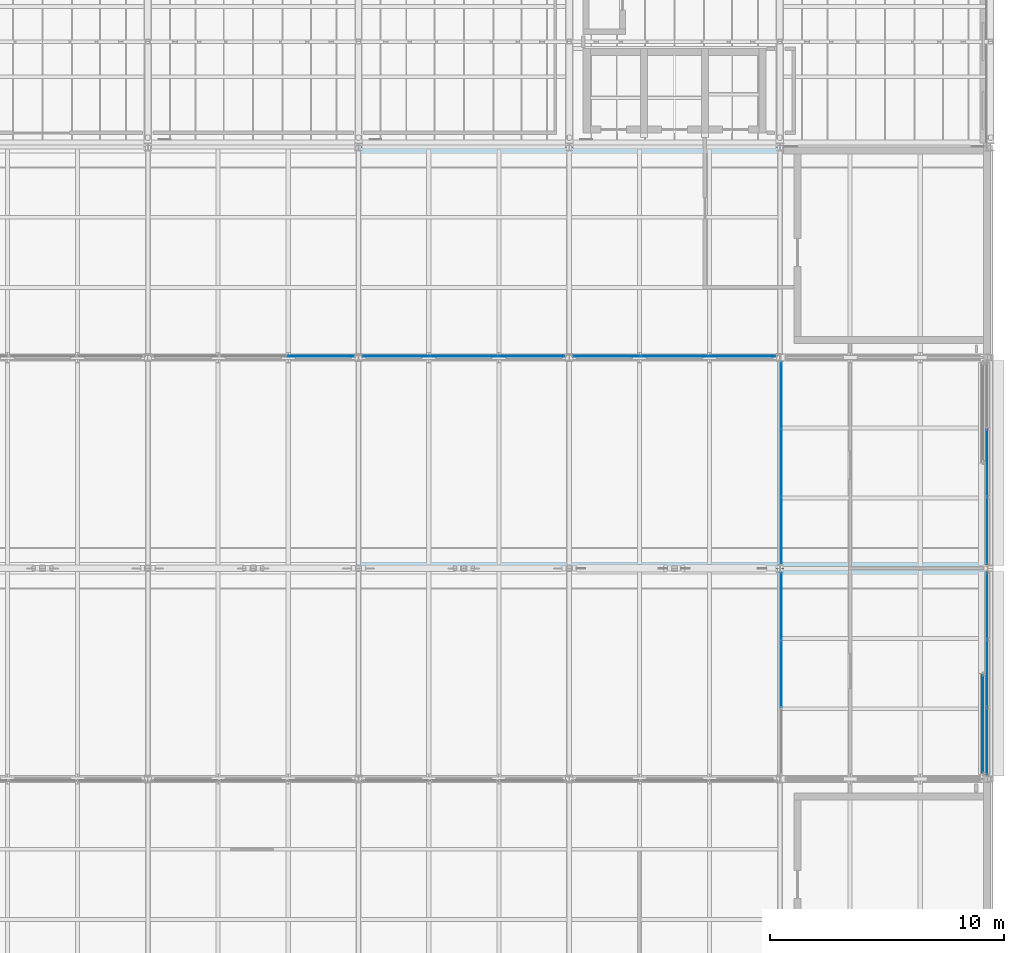
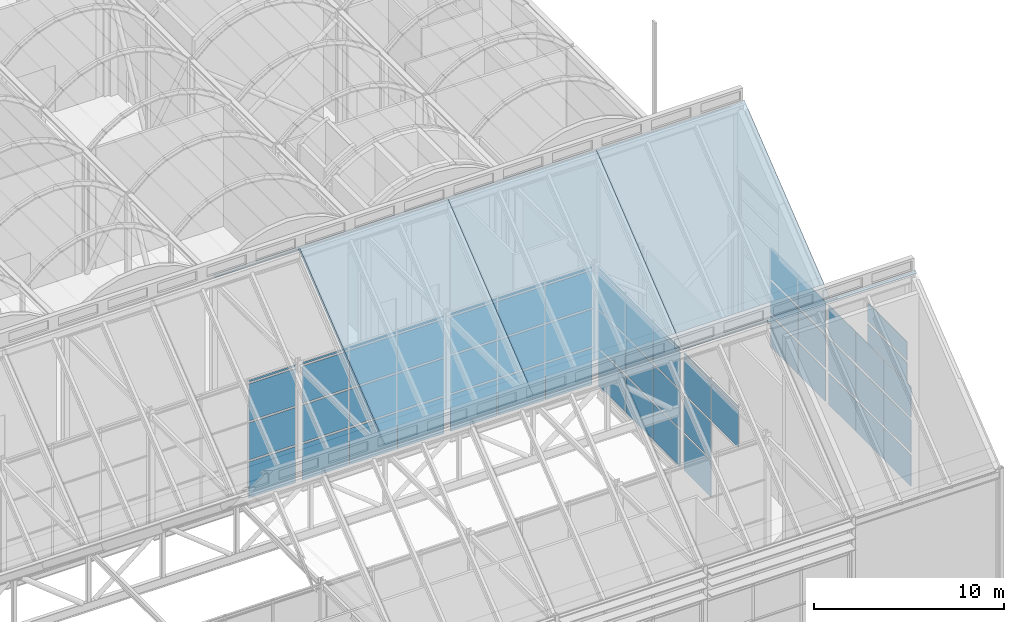
# One storey, part 120 of 144: 63 plates, 6 slabs, 8 elements without a shape of their own.
"""IFC4 building model written with IfcOpenShell, lengths in metres."""

from ifc_helpers import new_model, si_unit, direction, frame, origin, origin_2d, place, context, subcontext, project, spatial, polyline, rectangle, outline, extrude, material, layer, layer_set, type_object, element, aggregate, save


model = new_model("IFC4")

# Units and contexts
model_context = context("Model", 3, precision=1e-05, world=origin(), true_north=direction((0.0, 1.0)))
body_context = subcontext(model_context, "Body", "Model", "MODEL_VIEW")
ifc_project = project(units=[si_unit("LENGTHUNIT", "METRE"), si_unit("AREAUNIT", "SQUARE_METRE"), si_unit("VOLUMEUNIT", "CUBIC_METRE"), si_unit("PLANEANGLEUNIT", "RADIAN"), si_unit("MASSUNIT", "GRAM", prefix="KILO")], contexts=[model_context])

# Site, building, storey
site_placement = place(None, origin())
site = spatial("IfcSite", under=ifc_project, at=site_placement, CompositionType="ELEMENT")
building_placement = place(site_placement, origin())
building = spatial("IfcBuilding", under=site, at=building_placement, Name="Shorebreak Coast Museum", CompositionType="ELEMENT")
storey_placement = place(building_placement, frame((0.0, 0.0, 36.0)))
storey = spatial("IfcBuildingStorey", under=building, at=storey_placement, Name="L06", CompositionType="ELEMENT", Elevation=36.0)

# Curtain wall, plates
ifc_material_1 = material(Name="Aluminium", Category="aluminium")
ifc_layer_1 = layer(ifc_material_1, 0.1201171875)
ifc_layer_set_1 = layer_set([ifc_layer_1], Name="Aluminium")
curtain_wall_type_1 = type_object("IfcCurtainWallType", Name="Atrium fire screen", PredefinedType="NOTDEFINED", material=ifc_layer_set_1)
curtain_wall_1_placement = place(storey_placement, origin())
curtain_wall_1 = element("IfcCurtainWall", 1, at=curtain_wall_1_placement, inside=storey, type_object=curtain_wall_type_1, Name="Atrium screen L06 N 86", PredefinedType="NOTDEFINED")
ifc_material_2 = material(Name="Glass", Category="glass")
ifc_layer_2 = layer(ifc_material_2, 0.034912109375)
ifc_layer_set_2 = layer_set([ifc_layer_2], Name="Glass")
plate_type_1 = type_object("IfcPlateType", Name="Fire-resisting glass panel 35", PredefinedType="CURTAIN_PANEL", material=ifc_layer_set_2)
plate_1_placement = place(storey_placement, frame((88.38525390625, 81.06005859375, 0.1201171875), z_axis=(0.0, 0.0, 1.0), x_axis=(1.0, 0.0, 0.0)))
plate_1 = element("IfcPlate", 2, at=plate_1_placement, type_object=plate_type_1, Name="CW6 panel 3.1", PredefinedType="CURTAIN_PANEL", context=body_context, shape_type="SweptSolid", body=[
    extrude(rectangle(XDim=2.82275390625, YDim=0.034912109375, at=origin_2d()), origin(), (0.0, 0.0, 1.0), 2.320068359375),
])
plate_2_placement = place(storey_placement, frame((88.38525390625, 81.06005859375, 2.56005859375), z_axis=(0.0, 0.0, 1.0), x_axis=(1.0, 0.0, 0.0)))
plate_2 = element("IfcPlate", 3, at=plate_2_placement, type_object=plate_type_1, Name="CW6 panel 3.2", PredefinedType="CURTAIN_PANEL", context=body_context, shape_type="SweptSolid", body=[
    extrude(rectangle(XDim=2.82275390625, YDim=0.034912109375, at=origin_2d()), origin(), (0.0, 0.0, 1.0), 2.3798828125),
])
plate_3_placement = place(storey_placement, frame((88.38525390625, 81.06005859375, 5.06005859375), z_axis=(0.0, 0.0, 1.0), x_axis=(1.0, 0.0, 0.0)))
plate_3 = element("IfcPlate", 4, at=plate_3_placement, type_object=plate_type_1, Name="CW6 panel 3.3", PredefinedType="CURTAIN_PANEL", context=body_context, shape_type="SweptSolid", body=[
    extrude(rectangle(XDim=2.82275390625, YDim=0.034912109375, at=origin_2d()), origin(), (0.0, 0.0, 1.0), 2.3798828125),
])
plate_4_placement = place(storey_placement, frame((88.38525390625, 81.06005859375, 7.56005859375), z_axis=(0.0, 0.0, 1.0), x_axis=(1.0, 0.0, 0.0)))
plate_4 = element("IfcPlate", 5, at=plate_4_placement, type_object=plate_type_1, Name="CW6 panel 3.4", PredefinedType="CURTAIN_PANEL", context=body_context, shape_type="SweptSolid", body=[
    extrude(rectangle(XDim=2.82275390625, YDim=0.034912109375, at=origin_2d()), origin(), (0.0, 0.0, 1.0), 0.1201171875),
])
aggregate(curtain_wall_1, [plate_1, plate_2, plate_3, plate_4])

curtain_wall_2_placement = place(storey_placement, origin())
curtain_wall_2 = element("IfcCurtainWall", 6, at=curtain_wall_2_placement, inside=storey, type_object=curtain_wall_type_1, Name="Atrium screen L06 N 87", PredefinedType="NOTDEFINED")
plate_5_placement = place(storey_placement, frame((91.61474609375, 81.06005859375, 0.1201171875), z_axis=(0.0, 0.0, 1.0), x_axis=(1.0, 0.0, 0.0)))
plate_5 = element("IfcPlate", 7, at=plate_5_placement, type_object=plate_type_1, Name="CW4 panel 1.1", PredefinedType="CURTAIN_PANEL", context=body_context, shape_type="SweptSolid", body=[
    extrude(rectangle(XDim=2.82275390625, YDim=0.034912109375, at=origin_2d()), origin(), (0.0, 0.0, 1.0), 2.320068359375),
])
plate_6_placement = place(storey_placement, frame((91.61474609375, 81.06005859375, 2.56005859375), z_axis=(0.0, 0.0, 1.0), x_axis=(1.0, 0.0, 0.0)))
plate_6 = element("IfcPlate", 8, at=plate_6_placement, type_object=plate_type_1, Name="CW4 panel 1.2", PredefinedType="CURTAIN_PANEL", context=body_context, shape_type="SweptSolid", body=[
    extrude(rectangle(XDim=2.82275390625, YDim=0.034912109375, at=origin_2d()), origin(), (0.0, 0.0, 1.0), 2.3798828125),
])
plate_7_placement = place(storey_placement, frame((91.61474609375, 81.06005859375, 5.06005859375), z_axis=(0.0, 0.0, 1.0), x_axis=(1.0, 0.0, 0.0)))
plate_7 = element("IfcPlate", 9, at=plate_7_placement, type_object=plate_type_1, Name="CW4 panel 1.3", PredefinedType="CURTAIN_PANEL", context=body_context, shape_type="SweptSolid", body=[
    extrude(rectangle(XDim=2.82275390625, YDim=0.034912109375, at=origin_2d()), origin(), (0.0, 0.0, 1.0), 2.3798828125),
])
plate_8_placement = place(storey_placement, frame((91.61474609375, 81.06005859375, 7.56005859375), z_axis=(0.0, 0.0, 1.0), x_axis=(1.0, 0.0, 0.0)))
plate_8 = element("IfcPlate", 10, at=plate_8_placement, type_object=plate_type_1, Name="CW4 panel 1.4", PredefinedType="CURTAIN_PANEL", context=body_context, shape_type="SweptSolid", body=[
    extrude(rectangle(XDim=2.82275390625, YDim=0.034912109375, at=origin_2d()), origin(), (0.0, 0.0, 1.0), 0.1201171875),
])
plate_9_placement = place(storey_placement, frame((94.5, 81.06005859375, 0.1201171875), z_axis=(0.0, 0.0, 1.0), x_axis=(1.0, 0.0, 0.0)))
plate_9 = element("IfcPlate", 11, at=plate_9_placement, type_object=plate_type_1, Name="CW4 panel 2.1", PredefinedType="CURTAIN_PANEL", context=body_context, shape_type="SweptSolid", body=[
    extrude(rectangle(XDim=2.84765625, YDim=0.034912109375, at=origin_2d()), origin(), (0.0, 0.0, 1.0), 2.320068359375),
])
plate_10_placement = place(storey_placement, frame((94.5, 81.06005859375, 2.56005859375), z_axis=(0.0, 0.0, 1.0), x_axis=(1.0, 0.0, 0.0)))
plate_10 = element("IfcPlate", 12, at=plate_10_placement, type_object=plate_type_1, Name="CW4 panel 2.2", PredefinedType="CURTAIN_PANEL", context=body_context, shape_type="SweptSolid", body=[
    extrude(rectangle(XDim=2.84765625, YDim=0.034912109375, at=origin_2d()), origin(), (0.0, 0.0, 1.0), 2.3798828125),
])
plate_11_placement = place(storey_placement, frame((94.5, 81.06005859375, 5.06005859375), z_axis=(0.0, 0.0, 1.0), x_axis=(1.0, 0.0, 0.0)))
plate_11 = element("IfcPlate", 13, at=plate_11_placement, type_object=plate_type_1, Name="CW4 panel 2.3", PredefinedType="CURTAIN_PANEL", context=body_context, shape_type="SweptSolid", body=[
    extrude(rectangle(XDim=2.84765625, YDim=0.034912109375, at=origin_2d()), origin(), (0.0, 0.0, 1.0), 2.3798828125),
])
plate_12_placement = place(storey_placement, frame((94.5, 81.06005859375, 7.56005859375), z_axis=(0.0, 0.0, 1.0), x_axis=(1.0, 0.0, 0.0)))
plate_12 = element("IfcPlate", 14, at=plate_12_placement, type_object=plate_type_1, Name="CW4 panel 2.4", PredefinedType="CURTAIN_PANEL", context=body_context, shape_type="SweptSolid", body=[
    extrude(rectangle(XDim=2.84765625, YDim=0.034912109375, at=origin_2d()), origin(), (0.0, 0.0, 1.0), 0.1201171875),
])
plate_13_placement = place(storey_placement, frame((97.38525390625, 81.06005859375, 0.1201171875), z_axis=(0.0, 0.0, 1.0), x_axis=(1.0, 0.0, 0.0)))
plate_13 = element("IfcPlate", 15, at=plate_13_placement, type_object=plate_type_1, Name="CW4 panel 3.1", PredefinedType="CURTAIN_PANEL", context=body_context, shape_type="SweptSolid", body=[
    extrude(rectangle(XDim=2.82275390625, YDim=0.034912109375, at=origin_2d()), origin(), (0.0, 0.0, 1.0), 2.320068359375),
])
plate_14_placement = place(storey_placement, frame((97.38525390625, 81.06005859375, 2.56005859375), z_axis=(0.0, 0.0, 1.0), x_axis=(1.0, 0.0, 0.0)))
plate_14 = element("IfcPlate", 16, at=plate_14_placement, type_object=plate_type_1, Name="CW4 panel 3.2", PredefinedType="CURTAIN_PANEL", context=body_context, shape_type="SweptSolid", body=[
    extrude(rectangle(XDim=2.82275390625, YDim=0.034912109375, at=origin_2d()), origin(), (0.0, 0.0, 1.0), 2.3798828125),
])
plate_15_placement = place(storey_placement, frame((97.38525390625, 81.06005859375, 5.06005859375), z_axis=(0.0, 0.0, 1.0), x_axis=(1.0, 0.0, 0.0)))
plate_15 = element("IfcPlate", 17, at=plate_15_placement, type_object=plate_type_1, Name="CW4 panel 3.3", PredefinedType="CURTAIN_PANEL", context=body_context, shape_type="SweptSolid", body=[
    extrude(rectangle(XDim=2.82275390625, YDim=0.034912109375, at=origin_2d()), origin(), (0.0, 0.0, 1.0), 2.3798828125),
])
plate_16_placement = place(storey_placement, frame((97.38525390625, 81.06005859375, 7.56005859375), z_axis=(0.0, 0.0, 1.0), x_axis=(1.0, 0.0, 0.0)))
plate_16 = element("IfcPlate", 18, at=plate_16_placement, type_object=plate_type_1, Name="CW4 panel 3.4", PredefinedType="CURTAIN_PANEL", context=body_context, shape_type="SweptSolid", body=[
    extrude(rectangle(XDim=2.82275390625, YDim=0.034912109375, at=origin_2d()), origin(), (0.0, 0.0, 1.0), 0.1201171875),
])
aggregate(curtain_wall_2, [plate_5, plate_6, plate_7, plate_8, plate_9, plate_10, plate_11, plate_12, plate_13, plate_14, plate_15, plate_16])

curtain_wall_3_placement = place(storey_placement, origin())
curtain_wall_3 = element("IfcCurtainWall", 19, at=curtain_wall_3_placement, inside=storey, type_object=curtain_wall_type_1, Name="Atrium screen L06 N 88", PredefinedType="NOTDEFINED")
plate_17_placement = place(storey_placement, frame((100.61474609375, 81.06005859375, 0.1201171875), z_axis=(0.0, 0.0, 1.0), x_axis=(1.0, 0.0, 0.0)))
plate_17 = element("IfcPlate", 20, at=plate_17_placement, type_object=plate_type_1, Name="CW5 panel 1.1", PredefinedType="CURTAIN_PANEL", context=body_context, shape_type="SweptSolid", body=[
    extrude(rectangle(XDim=2.82275390625, YDim=0.034912109375, at=origin_2d()), origin(), (0.0, 0.0, 1.0), 2.320068359375),
])
plate_18_placement = place(storey_placement, frame((100.61474609375, 81.06005859375, 2.56005859375), z_axis=(0.0, 0.0, 1.0), x_axis=(1.0, 0.0, 0.0)))
plate_18 = element("IfcPlate", 21, at=plate_18_placement, type_object=plate_type_1, Name="CW5 panel 1.2", PredefinedType="CURTAIN_PANEL", context=body_context, shape_type="SweptSolid", body=[
    extrude(rectangle(XDim=2.82275390625, YDim=0.034912109375, at=origin_2d()), origin(), (0.0, 0.0, 1.0), 2.3798828125),
])
plate_19_placement = place(storey_placement, frame((100.61474609375, 81.06005859375, 5.06005859375), z_axis=(0.0, 0.0, 1.0), x_axis=(1.0, 0.0, 0.0)))
plate_19 = element("IfcPlate", 22, at=plate_19_placement, type_object=plate_type_1, Name="CW5 panel 1.3", PredefinedType="CURTAIN_PANEL", context=body_context, shape_type="SweptSolid", body=[
    extrude(rectangle(XDim=2.82275390625, YDim=0.034912109375, at=origin_2d()), origin(), (0.0, 0.0, 1.0), 2.3798828125),
])
plate_20_placement = place(storey_placement, frame((100.61474609375, 81.06005859375, 7.56005859375), z_axis=(0.0, 0.0, 1.0), x_axis=(1.0, 0.0, 0.0)))
plate_20 = element("IfcPlate", 23, at=plate_20_placement, type_object=plate_type_1, Name="CW5 panel 1.4", PredefinedType="CURTAIN_PANEL", context=body_context, shape_type="SweptSolid", body=[
    extrude(rectangle(XDim=2.82275390625, YDim=0.034912109375, at=origin_2d()), origin(), (0.0, 0.0, 1.0), 0.1201171875),
])
plate_21_placement = place(storey_placement, frame((103.5, 81.06005859375, 0.1201171875), z_axis=(0.0, 0.0, 1.0), x_axis=(1.0, 0.0, 0.0)))
plate_21 = element("IfcPlate", 24, at=plate_21_placement, type_object=plate_type_1, Name="CW5 panel 2.1", PredefinedType="CURTAIN_PANEL", context=body_context, shape_type="SweptSolid", body=[
    extrude(rectangle(XDim=2.84765625, YDim=0.034912109375, at=origin_2d()), origin(), (0.0, 0.0, 1.0), 2.320068359375),
])
plate_22_placement = place(storey_placement, frame((103.5, 81.06005859375, 2.56005859375), z_axis=(0.0, 0.0, 1.0), x_axis=(1.0, 0.0, 0.0)))
plate_22 = element("IfcPlate", 25, at=plate_22_placement, type_object=plate_type_1, Name="CW5 panel 2.2", PredefinedType="CURTAIN_PANEL", context=body_context, shape_type="SweptSolid", body=[
    extrude(rectangle(XDim=2.84765625, YDim=0.034912109375, at=origin_2d()), origin(), (0.0, 0.0, 1.0), 2.3798828125),
])
plate_23_placement = place(storey_placement, frame((103.5, 81.06005859375, 5.06005859375), z_axis=(0.0, 0.0, 1.0), x_axis=(1.0, 0.0, 0.0)))
plate_23 = element("IfcPlate", 26, at=plate_23_placement, type_object=plate_type_1, Name="CW5 panel 2.3", PredefinedType="CURTAIN_PANEL", context=body_context, shape_type="SweptSolid", body=[
    extrude(rectangle(XDim=2.84765625, YDim=0.034912109375, at=origin_2d()), origin(), (0.0, 0.0, 1.0), 2.3798828125),
])
plate_24_placement = place(storey_placement, frame((103.5, 81.06005859375, 7.56005859375), z_axis=(0.0, 0.0, 1.0), x_axis=(1.0, 0.0, 0.0)))
plate_24 = element("IfcPlate", 27, at=plate_24_placement, type_object=plate_type_1, Name="CW5 panel 2.4", PredefinedType="CURTAIN_PANEL", context=body_context, shape_type="SweptSolid", body=[
    extrude(rectangle(XDim=2.84765625, YDim=0.034912109375, at=origin_2d()), origin(), (0.0, 0.0, 1.0), 0.1201171875),
])
plate_25_placement = place(storey_placement, frame((106.38525390625, 81.06005859375, 0.1201171875), z_axis=(0.0, 0.0, 1.0), x_axis=(1.0, 0.0, 0.0)))
plate_25 = element("IfcPlate", 28, at=plate_25_placement, type_object=plate_type_1, Name="CW5 panel 3.1", PredefinedType="CURTAIN_PANEL", context=body_context, shape_type="SweptSolid", body=[
    extrude(rectangle(XDim=2.82275390625, YDim=0.034912109375, at=origin_2d()), origin(), (0.0, 0.0, 1.0), 2.320068359375),
])
plate_26_placement = place(storey_placement, frame((106.38525390625, 81.06005859375, 2.56005859375), z_axis=(0.0, 0.0, 1.0), x_axis=(1.0, 0.0, 0.0)))
plate_26 = element("IfcPlate", 29, at=plate_26_placement, type_object=plate_type_1, Name="CW5 panel 3.2", PredefinedType="CURTAIN_PANEL", context=body_context, shape_type="SweptSolid", body=[
    extrude(rectangle(XDim=2.82275390625, YDim=0.034912109375, at=origin_2d()), origin(), (0.0, 0.0, 1.0), 2.3798828125),
])
plate_27_placement = place(storey_placement, frame((106.38525390625, 81.06005859375, 5.06005859375), z_axis=(0.0, 0.0, 1.0), x_axis=(1.0, 0.0, 0.0)))
plate_27 = element("IfcPlate", 30, at=plate_27_placement, type_object=plate_type_1, Name="CW5 panel 3.3", PredefinedType="CURTAIN_PANEL", context=body_context, shape_type="SweptSolid", body=[
    extrude(rectangle(XDim=2.82275390625, YDim=0.034912109375, at=origin_2d()), origin(), (0.0, 0.0, 1.0), 2.3798828125),
])
plate_28_placement = place(storey_placement, frame((106.38525390625, 81.06005859375, 7.56005859375), z_axis=(0.0, 0.0, 1.0), x_axis=(1.0, 0.0, 0.0)))
plate_28 = element("IfcPlate", 31, at=plate_28_placement, type_object=plate_type_1, Name="CW5 panel 3.4", PredefinedType="CURTAIN_PANEL", context=body_context, shape_type="SweptSolid", body=[
    extrude(rectangle(XDim=2.82275390625, YDim=0.034912109375, at=origin_2d()), origin(), (0.0, 0.0, 1.0), 0.1201171875),
])
aggregate(curtain_wall_3, [plate_17, plate_18, plate_19, plate_20, plate_21, plate_22, plate_23, plate_24, plate_25, plate_26, plate_27, plate_28])

curtain_wall_4_placement = place(storey_placement, origin())
curtain_wall_4 = element("IfcCurtainWall", 32, at=curtain_wall_4_placement, inside=storey, type_object=curtain_wall_type_1, Name="Atrium screen L06 E 91", PredefinedType="NOTDEFINED")
plate_29_placement = place(storey_placement, frame((108.06005859375, 67.496826171875, 5.06005859375), z_axis=(0.0, 0.0, 1.0), x_axis=(0.0, 1.0, 0.0)))
plate_29 = element("IfcPlate", 33, at=plate_29_placement, type_object=plate_type_1, Name="CW5 panel 2.3", PredefinedType="CURTAIN_PANEL", context=body_context, shape_type="SweptSolid", body=[
    extrude(rectangle(XDim=2.843017578125, YDim=0.034912109375, at=origin_2d()), origin(), (0.0, 0.0, 1.0), 2.3798828125),
])
plate_30_placement = place(storey_placement, frame((108.06005859375, 67.496826171875, 7.56005859375), z_axis=(0.0, 0.0, 1.0), x_axis=(0.0, 1.0, 0.0)))
plate_30 = element("IfcPlate", 34, at=plate_30_placement, type_object=plate_type_1, Name="CW5 panel 2.4", PredefinedType="CURTAIN_PANEL", context=body_context, shape_type="SweptSolid", body=[
    extrude(rectangle(XDim=2.843017578125, YDim=0.034912109375, at=origin_2d()), origin(), (0.0, 0.0, 1.0), 0.1201171875),
])
plate_31_placement = place(storey_placement, frame((108.06005859375, 70.37744140625, 0.1201171875), z_axis=(0.0, 0.0, 1.0), x_axis=(0.0, 1.0, 0.0)))
plate_31 = element("IfcPlate", 35, at=plate_31_placement, type_object=plate_type_1, Name="CW5 panel 3.1", PredefinedType="CURTAIN_PANEL", context=body_context, shape_type="SweptSolid", body=[
    extrude(rectangle(XDim=2.818115234375, YDim=0.034912109375, at=origin_2d()), origin(), (0.0, 0.0, 1.0), 2.320068359375),
])
plate_32_placement = place(storey_placement, frame((108.06005859375, 70.37744140625, 2.56005859375), z_axis=(0.0, 0.0, 1.0), x_axis=(0.0, 1.0, 0.0)))
plate_32 = element("IfcPlate", 36, at=plate_32_placement, type_object=plate_type_1, Name="CW5 panel 3.2", PredefinedType="CURTAIN_PANEL", context=body_context, shape_type="SweptSolid", body=[
    extrude(rectangle(XDim=2.818115234375, YDim=0.034912109375, at=origin_2d()), origin(), (0.0, 0.0, 1.0), 2.3798828125),
])
plate_33_placement = place(storey_placement, frame((108.06005859375, 70.37744140625, 5.06005859375), z_axis=(0.0, 0.0, 1.0), x_axis=(0.0, 1.0, 0.0)))
plate_33 = element("IfcPlate", 37, at=plate_33_placement, type_object=plate_type_1, Name="CW5 panel 3.3", PredefinedType="CURTAIN_PANEL", context=body_context, shape_type="SweptSolid", body=[
    extrude(rectangle(XDim=2.818115234375, YDim=0.034912109375, at=origin_2d()), origin(), (0.0, 0.0, 1.0), 2.3798828125),
])
plate_34_placement = place(storey_placement, frame((108.06005859375, 70.37744140625, 7.56005859375), z_axis=(0.0, 0.0, 1.0), x_axis=(0.0, 1.0, 0.0)))
plate_34 = element("IfcPlate", 38, at=plate_34_placement, type_object=plate_type_1, Name="CW5 panel 3.4", PredefinedType="CURTAIN_PANEL", context=body_context, shape_type="SweptSolid", body=[
    extrude(rectangle(XDim=2.818115234375, YDim=0.034912109375, at=origin_2d()), origin(), (0.0, 0.0, 1.0), 0.1201171875),
])
aggregate(curtain_wall_4, [plate_29, plate_30, plate_31, plate_32, plate_33, plate_34])

curtain_wall_5_placement = place(storey_placement, origin())
curtain_wall_5 = element("IfcCurtainWall", 39, at=curtain_wall_5_placement, inside=storey, type_object=curtain_wall_type_1, Name="Atrium screen L06 E 92", PredefinedType="NOTDEFINED")
plate_35_placement = place(storey_placement, frame((108.06005859375, 73.62255859375, 0.1201171875), z_axis=(0.0, 0.0, 1.0), x_axis=(0.0, 1.0, 0.0)))
plate_35 = element("IfcPlate", 40, at=plate_35_placement, type_object=plate_type_1, Name="CW6 panel 1.1", PredefinedType="CURTAIN_PANEL", context=body_context, shape_type="SweptSolid", body=[
    extrude(rectangle(XDim=2.818115234375, YDim=0.034912109375, at=origin_2d()), origin(), (0.0, 0.0, 1.0), 2.320068359375),
])
plate_36_placement = place(storey_placement, frame((108.06005859375, 73.62255859375, 2.56005859375), z_axis=(0.0, 0.0, 1.0), x_axis=(0.0, 1.0, 0.0)))
plate_36 = element("IfcPlate", 41, at=plate_36_placement, type_object=plate_type_1, Name="CW6 panel 1.2", PredefinedType="CURTAIN_PANEL", context=body_context, shape_type="SweptSolid", body=[
    extrude(rectangle(XDim=2.818115234375, YDim=0.034912109375, at=origin_2d()), origin(), (0.0, 0.0, 1.0), 2.3798828125),
])
plate_37_placement = place(storey_placement, frame((108.06005859375, 73.62255859375, 5.06005859375), z_axis=(0.0, 0.0, 1.0), x_axis=(0.0, 1.0, 0.0)))
plate_37 = element("IfcPlate", 42, at=plate_37_placement, type_object=plate_type_1, Name="CW6 panel 1.3", PredefinedType="CURTAIN_PANEL", context=body_context, shape_type="SweptSolid", body=[
    extrude(rectangle(XDim=2.818115234375, YDim=0.034912109375, at=origin_2d()), origin(), (0.0, 0.0, 1.0), 2.3798828125),
])
plate_38_placement = place(storey_placement, frame((108.06005859375, 73.62255859375, 7.56005859375), z_axis=(0.0, 0.0, 1.0), x_axis=(0.0, 1.0, 0.0)))
plate_38 = element("IfcPlate", 43, at=plate_38_placement, type_object=plate_type_1, Name="CW6 panel 1.4", PredefinedType="CURTAIN_PANEL", context=body_context, shape_type="SweptSolid", body=[
    extrude(rectangle(XDim=2.818115234375, YDim=0.034912109375, at=origin_2d()), origin(), (0.0, 0.0, 1.0), 0.1201171875),
])
plate_39_placement = place(storey_placement, frame((108.06005859375, 76.503173828125, 0.1201171875), z_axis=(0.0, 0.0, 1.0), x_axis=(0.0, 1.0, 0.0)))
plate_39 = element("IfcPlate", 44, at=plate_39_placement, type_object=plate_type_1, Name="CW6 panel 2.1", PredefinedType="CURTAIN_PANEL", context=body_context, shape_type="SweptSolid", body=[
    extrude(rectangle(XDim=2.843017578125, YDim=0.034912109375, at=origin_2d()), origin(), (0.0, 0.0, 1.0), 2.320068359375),
])
plate_40_placement = place(storey_placement, frame((108.06005859375, 76.503173828125, 2.56005859375), z_axis=(0.0, 0.0, 1.0), x_axis=(0.0, 1.0, 0.0)))
plate_40 = element("IfcPlate", 45, at=plate_40_placement, type_object=plate_type_1, Name="CW6 panel 2.2", PredefinedType="CURTAIN_PANEL", context=body_context, shape_type="SweptSolid", body=[
    extrude(rectangle(XDim=2.843017578125, YDim=0.034912109375, at=origin_2d()), origin(), (0.0, 0.0, 1.0), 2.3798828125),
])
plate_41_placement = place(storey_placement, frame((108.06005859375, 76.503173828125, 5.06005859375), z_axis=(0.0, 0.0, 1.0), x_axis=(0.0, 1.0, 0.0)))
plate_41 = element("IfcPlate", 46, at=plate_41_placement, type_object=plate_type_1, Name="CW6 panel 2.3", PredefinedType="CURTAIN_PANEL", context=body_context, shape_type="SweptSolid", body=[
    extrude(rectangle(XDim=2.843017578125, YDim=0.034912109375, at=origin_2d()), origin(), (0.0, 0.0, 1.0), 2.3798828125),
])
plate_42_placement = place(storey_placement, frame((108.06005859375, 76.503173828125, 7.56005859375), z_axis=(0.0, 0.0, 1.0), x_axis=(0.0, 1.0, 0.0)))
plate_42 = element("IfcPlate", 47, at=plate_42_placement, type_object=plate_type_1, Name="CW6 panel 2.4", PredefinedType="CURTAIN_PANEL", context=body_context, shape_type="SweptSolid", body=[
    extrude(rectangle(XDim=2.843017578125, YDim=0.034912109375, at=origin_2d()), origin(), (0.0, 0.0, 1.0), 0.1201171875),
])
plate_43_placement = place(storey_placement, frame((108.06005859375, 79.3837890625, 0.1201171875), z_axis=(0.0, 0.0, 1.0), x_axis=(0.0, 1.0, 0.0)))
plate_43 = element("IfcPlate", 48, at=plate_43_placement, type_object=plate_type_1, Name="CW6 panel 3.1", PredefinedType="CURTAIN_PANEL", context=body_context, shape_type="SweptSolid", body=[
    extrude(rectangle(XDim=2.818115234375, YDim=0.034912109375, at=origin_2d()), origin(), (0.0, 0.0, 1.0), 2.320068359375),
])
plate_44_placement = place(storey_placement, frame((108.06005859375, 79.3837890625, 2.56005859375), z_axis=(0.0, 0.0, 1.0), x_axis=(0.0, 1.0, 0.0)))
plate_44 = element("IfcPlate", 49, at=plate_44_placement, type_object=plate_type_1, Name="CW6 panel 3.2", PredefinedType="CURTAIN_PANEL", context=body_context, shape_type="SweptSolid", body=[
    extrude(rectangle(XDim=2.818115234375, YDim=0.034912109375, at=origin_2d()), origin(), (0.0, 0.0, 1.0), 2.3798828125),
])
plate_45_placement = place(storey_placement, frame((108.06005859375, 79.3837890625, 5.06005859375), z_axis=(0.0, 0.0, 1.0), x_axis=(0.0, 1.0, 0.0)))
plate_45 = element("IfcPlate", 50, at=plate_45_placement, type_object=plate_type_1, Name="CW6 panel 3.3", PredefinedType="CURTAIN_PANEL", context=body_context, shape_type="SweptSolid", body=[
    extrude(rectangle(XDim=2.818115234375, YDim=0.034912109375, at=origin_2d()), origin(), (0.0, 0.0, 1.0), 2.3798828125),
])
plate_46_placement = place(storey_placement, frame((108.06005859375, 79.3837890625, 7.56005859375), z_axis=(0.0, 0.0, 1.0), x_axis=(0.0, 1.0, 0.0)))
plate_46 = element("IfcPlate", 51, at=plate_46_placement, type_object=plate_type_1, Name="CW6 panel 3.4", PredefinedType="CURTAIN_PANEL", context=body_context, shape_type="SweptSolid", body=[
    extrude(rectangle(XDim=2.818115234375, YDim=0.034912109375, at=origin_2d()), origin(), (0.0, 0.0, 1.0), 0.1201171875),
])
aggregate(curtain_wall_5, [plate_35, plate_36, plate_37, plate_38, plate_39, plate_40, plate_41, plate_42, plate_43, plate_44, plate_45, plate_46])

ifc_material_3 = material(Name="Aluminium", Category="aluminium")
ifc_layer_3 = layer(ifc_material_3, 0.175048828125)
ifc_layer_set_3 = layer_set([ifc_layer_3], Name="Aluminium")
curtain_wall_type_2 = type_object("IfcCurtainWallType", Name="Gable curtain wall", PredefinedType="NOTDEFINED", material=ifc_layer_set_3)
curtain_wall_6_placement = place(storey_placement, origin())
curtain_wall_6 = element("IfcCurtainWall", 52, at=curtain_wall_6_placement, inside=storey, type_object=curtain_wall_type_2, Name="Gable glazing FOLD-X-117-1", PredefinedType="NOTDEFINED")
ifc_material_4 = material(Name="Glass", Category="glass")
ifc_layer_4 = layer(ifc_material_4, 0.0400390625)
ifc_layer_set_4 = layer_set([ifc_layer_4], Name="Glass")
plate_type_2 = type_object("IfcPlateType", Name="Gable glass panel 40", PredefinedType="CURTAIN_PANEL", material=ifc_layer_set_4)
plate_47_placement = place(storey_placement, frame((116.66943359375, 65.348388671875, 7.97509765625), z_axis=(0.0, 0.0, 1.0), x_axis=(0.0, 1.0, 0.0)))
plate_47 = element("IfcPlate", 53, at=plate_47_placement, type_object=plate_type_2, Name="CW9 panel 1.1", PredefinedType="CURTAIN_PANEL", context=body_context, shape_type="SweptSolid", body=[
    extrude(rectangle(XDim=4.18310546875, YDim=0.0400390625, at=origin_2d()), origin(), (0.0, 0.0, 1.0), 1.1884765625),
])
plate_48_placement = place(storey_placement, frame((116.66943359375, 65.348388671875, 9.338623046875), z_axis=(0.0, 0.0, 1.0), x_axis=(0.0, 1.0, 0.0)))
plate_48 = element("IfcPlate", 54, at=plate_48_placement, type_object=plate_type_2, Name="CW9 panel 1.2", PredefinedType="CURTAIN_PANEL", context=body_context, shape_type="SweptSolid", body=[
    extrude(rectangle(XDim=4.18310546875, YDim=0.0400390625, at=origin_2d()), origin(), (0.0, 0.0, 1.0), 1.1884765625),
])
aggregate(curtain_wall_6, [plate_47, plate_48])

# Slabs
ifc_material_5 = material(Name="Concrete N50 (50 MPa)", Category="concrete")
ifc_layer_5 = layer(ifc_material_5, 0.199951171875)
ifc_layer_set_5 = layer_set([ifc_layer_5], Name="Concrete N50 (50 MPa)")
slab_type = type_object("IfcSlabType", Name="Roof slab folded plate 200 concrete N50", PredefinedType="ROOF", material=ifc_layer_set_5)
for number, where, z_axis, x_axis, name in (
    (55, (108.0, 63.0, 15.199951171875), (0.0, 0.624692464322, 0.780870876022), (1.0, 0.0, 0.0), "Folded roof slab FOLD-X-P14"),
    (56, (90.0, 72.0, 8.0), (0.0, -0.624692464322, 0.780870876022), (1.0, 0.0, 0.0), "Folded roof slab FOLD-X-P19"),
    (57, (99.0, 72.0, 8.0), (0.0, -0.624692464322, 0.780870876022), (1.0, 0.0, 0.0), "Folded roof slab FOLD-X-P20"),
    (58, (108.0, 72.0, 8.0), (0.0, -0.624692464322, 0.780870876022), (1.0, 0.0, 0.0), "Folded roof slab FOLD-X-P21"),
    (59, (90.0, 81.0, 15.199951171875), (0.0, 0.624692464322, 0.780870876022), (1.0, 0.0, 0.0), "Folded roof slab FOLD-X-P26"),
    (60, (99.0, 81.0, 15.199951171875), (0.0, 0.624692464322, 0.780870876022), (1.0, 0.0, 0.0), "Folded roof slab FOLD-X-P27"),
):
    element("IfcSlab", number, at=place(storey_placement, frame(where, z_axis=z_axis, x_axis=x_axis)), inside=storey, type_object=slab_type, Name=name, PredefinedType="ROOF", context=body_context, shape_type="SweptSolid", body=[
        extrude(outline(polyline([(0.0, 0.0), (9.0, 0.0), (9.0, 11.525593124754327), (0.0, 11.525593124754327), (0.0, 0.0)])), origin(), (0.0, 0.0, -1.0), 0.199951171875),
    ])

# Curtain wall, plates
ifc_material_6 = material(Name="Aluminium", Category="aluminium")
ifc_layer_6 = layer(ifc_material_6, 0.14990234375)
ifc_layer_set_6 = layer_set([ifc_layer_6], Name="Aluminium")
curtain_wall_type_3 = type_object("IfcCurtainWallType", Name="Storefront curtain wall", PredefinedType="NOTDEFINED", material=ifc_layer_set_6)
curtain_wall_7_placement = place(storey_placement, origin())
curtain_wall_7 = element("IfcCurtainWall", 61, at=curtain_wall_7_placement, inside=storey, type_object=curtain_wall_type_3, Name="Atrium Hall glazing L06 E 20", PredefinedType="NOTDEFINED")
ifc_material_7 = material(Name="Glass", Category="glass")
ifc_layer_7 = layer(ifc_material_7, 0.031982421875)
ifc_layer_set_7 = layer_set([ifc_layer_7], Name="Glass")
plate_type_3 = type_object("IfcPlateType", Name="Storefront glass panel 32", PredefinedType="CURTAIN_PANEL", material=ifc_layer_set_7)
plate_49_placement = place(storey_placement, frame((116.85009765625, 64.607421875, 1.25), z_axis=(0.0, 0.0, 1.0), x_axis=(0.0, 1.0, 0.0)))
plate_49 = element("IfcPlate", 62, at=plate_49_placement, type_object=plate_type_3, Name="CW5 panel 1.1", PredefinedType="CURTAIN_PANEL", context=body_context, shape_type="SweptSolid", body=[
    extrude(rectangle(XDim=2.8369140625, YDim=0.031982421875, at=origin_2d()), origin(), (0.0, 0.0, 1.0), 2.00830078125),
])
plate_50_placement = place(storey_placement, frame((116.85009765625, 64.607421875, 3.408203125), z_axis=(0.0, 0.0, 1.0), x_axis=(0.0, 1.0, 0.0)))
plate_50 = element("IfcPlate", 63, at=plate_50_placement, type_object=plate_type_3, Name="CW5 panel 1.2", PredefinedType="CURTAIN_PANEL", context=body_context, shape_type="SweptSolid", body=[
    extrude(rectangle(XDim=2.8369140625, YDim=0.031982421875, at=origin_2d()), origin(), (0.0, 0.0, 1.0), 2.08349609375),
])
plate_51_placement = place(storey_placement, frame((116.85009765625, 64.607421875, 5.6416015625), z_axis=(0.0, 0.0, 1.0), x_axis=(0.0, 1.0, 0.0)))
plate_51 = element("IfcPlate", 64, at=plate_51_placement, type_object=plate_type_3, Name="CW5 panel 1.3", PredefinedType="CURTAIN_PANEL", context=body_context, shape_type="SweptSolid", body=[
    extrude(rectangle(XDim=2.8369140625, YDim=0.031982421875, at=origin_2d()), origin(), (0.0, 0.0, 1.0), 2.00830078125),
])
plate_52_placement = place(storey_placement, frame((116.85009765625, 67.507080078125, 1.25), z_axis=(0.0, 0.0, 1.0), x_axis=(0.0, 1.0, 0.0)))
plate_52 = element("IfcPlate", 65, at=plate_52_placement, type_object=plate_type_3, Name="CW5 panel 2.1", PredefinedType="CURTAIN_PANEL", context=body_context, shape_type="SweptSolid", body=[
    extrude(rectangle(XDim=2.862060546875, YDim=0.031982421875, at=origin_2d()), origin(), (0.0, 0.0, 1.0), 2.00830078125),
])
plate_53_placement = place(storey_placement, frame((116.85009765625, 67.507080078125, 3.408203125), z_axis=(0.0, 0.0, 1.0), x_axis=(0.0, 1.0, 0.0)))
plate_53 = element("IfcPlate", 66, at=plate_53_placement, type_object=plate_type_3, Name="CW5 panel 2.2", PredefinedType="CURTAIN_PANEL", context=body_context, shape_type="SweptSolid", body=[
    extrude(rectangle(XDim=2.862060546875, YDim=0.031982421875, at=origin_2d()), origin(), (0.0, 0.0, 1.0), 2.08349609375),
])
plate_54_placement = place(storey_placement, frame((116.85009765625, 67.507080078125, 5.6416015625), z_axis=(0.0, 0.0, 1.0), x_axis=(0.0, 1.0, 0.0)))
plate_54 = element("IfcPlate", 67, at=plate_54_placement, type_object=plate_type_3, Name="CW5 panel 2.3", PredefinedType="CURTAIN_PANEL", context=body_context, shape_type="SweptSolid", body=[
    extrude(rectangle(XDim=2.862060546875, YDim=0.031982421875, at=origin_2d()), origin(), (0.0, 0.0, 1.0), 2.00830078125),
])
plate_55_placement = place(storey_placement, frame((116.85009765625, 70.406494140625, 1.25), z_axis=(0.0, 0.0, 1.0), x_axis=(0.0, 1.0, 0.0)))
plate_55 = element("IfcPlate", 68, at=plate_55_placement, type_object=plate_type_3, Name="CW5 panel 3.1", PredefinedType="CURTAIN_PANEL", context=body_context, shape_type="SweptSolid", body=[
    extrude(rectangle(XDim=2.8369140625, YDim=0.031982421875, at=origin_2d()), origin(), (0.0, 0.0, 1.0), 2.00830078125),
])
plate_56_placement = place(storey_placement, frame((116.85009765625, 70.406494140625, 3.408203125), z_axis=(0.0, 0.0, 1.0), x_axis=(0.0, 1.0, 0.0)))
plate_56 = element("IfcPlate", 69, at=plate_56_placement, type_object=plate_type_3, Name="CW5 panel 3.2", PredefinedType="CURTAIN_PANEL", context=body_context, shape_type="SweptSolid", body=[
    extrude(rectangle(XDim=2.8369140625, YDim=0.031982421875, at=origin_2d()), origin(), (0.0, 0.0, 1.0), 2.08349609375),
])
plate_57_placement = place(storey_placement, frame((116.85009765625, 70.406494140625, 5.6416015625), z_axis=(0.0, 0.0, 1.0), x_axis=(0.0, 1.0, 0.0)))
plate_57 = element("IfcPlate", 70, at=plate_57_placement, type_object=plate_type_3, Name="CW5 panel 3.3", PredefinedType="CURTAIN_PANEL", context=body_context, shape_type="SweptSolid", body=[
    extrude(rectangle(XDim=2.8369140625, YDim=0.031982421875, at=origin_2d()), origin(), (0.0, 0.0, 1.0), 2.00830078125),
])
aggregate(curtain_wall_7, [plate_49, plate_50, plate_51, plate_52, plate_53, plate_54, plate_55, plate_56, plate_57])

curtain_wall_8_placement = place(storey_placement, origin())
curtain_wall_8 = element("IfcCurtainWall", 71, at=curtain_wall_8_placement, inside=storey, type_object=curtain_wall_type_3, Name="Atrium Hall glazing L06 E 21", PredefinedType="NOTDEFINED")
plate_58_placement = place(storey_placement, frame((116.85009765625, 73.593505859375, 1.25), z_axis=(0.0, 0.0, 1.0), x_axis=(0.0, 1.0, 0.0)))
plate_58 = element("IfcPlate", 72, at=plate_58_placement, type_object=plate_type_3, Name="CW5 panel 1.1", PredefinedType="CURTAIN_PANEL", context=body_context, shape_type="SweptSolid", body=[
    extrude(rectangle(XDim=2.8369140625, YDim=0.031982421875, at=origin_2d()), origin(), (0.0, 0.0, 1.0), 2.00830078125),
])
plate_59_placement = place(storey_placement, frame((116.85009765625, 73.593505859375, 3.408203125), z_axis=(0.0, 0.0, 1.0), x_axis=(0.0, 1.0, 0.0)))
plate_59 = element("IfcPlate", 73, at=plate_59_placement, type_object=plate_type_3, Name="CW5 panel 1.2", PredefinedType="CURTAIN_PANEL", context=body_context, shape_type="SweptSolid", body=[
    extrude(rectangle(XDim=2.8369140625, YDim=0.031982421875, at=origin_2d()), origin(), (0.0, 0.0, 1.0), 2.08349609375),
])
plate_60_placement = place(storey_placement, frame((116.85009765625, 73.593505859375, 5.6416015625), z_axis=(0.0, 0.0, 1.0), x_axis=(0.0, 1.0, 0.0)))
plate_60 = element("IfcPlate", 74, at=plate_60_placement, type_object=plate_type_3, Name="CW5 panel 1.3", PredefinedType="CURTAIN_PANEL", context=body_context, shape_type="SweptSolid", body=[
    extrude(rectangle(XDim=2.8369140625, YDim=0.031982421875, at=origin_2d()), origin(), (0.0, 0.0, 1.0), 2.00830078125),
])
plate_61_placement = place(storey_placement, frame((116.85009765625, 76.492919921875, 1.25), z_axis=(0.0, 0.0, 1.0), x_axis=(0.0, 1.0, 0.0)))
plate_61 = element("IfcPlate", 75, at=plate_61_placement, type_object=plate_type_3, Name="CW5 panel 2.1", PredefinedType="CURTAIN_PANEL", context=body_context, shape_type="SweptSolid", body=[
    extrude(rectangle(XDim=2.862060546875, YDim=0.031982421875, at=origin_2d()), origin(), (0.0, 0.0, 1.0), 2.00830078125),
])
plate_62_placement = place(storey_placement, frame((116.85009765625, 76.492919921875, 3.408203125), z_axis=(0.0, 0.0, 1.0), x_axis=(0.0, 1.0, 0.0)))
plate_62 = element("IfcPlate", 76, at=plate_62_placement, type_object=plate_type_3, Name="CW5 panel 2.2", PredefinedType="CURTAIN_PANEL", context=body_context, shape_type="SweptSolid", body=[
    extrude(rectangle(XDim=2.862060546875, YDim=0.031982421875, at=origin_2d()), origin(), (0.0, 0.0, 1.0), 2.08349609375),
])
plate_63_placement = place(storey_placement, frame((116.85009765625, 76.492919921875, 5.6416015625), z_axis=(0.0, 0.0, 1.0), x_axis=(0.0, 1.0, 0.0)))
plate_63 = element("IfcPlate", 77, at=plate_63_placement, type_object=plate_type_3, Name="CW5 panel 2.3", PredefinedType="CURTAIN_PANEL", context=body_context, shape_type="SweptSolid", body=[
    extrude(rectangle(XDim=2.862060546875, YDim=0.031982421875, at=origin_2d()), origin(), (0.0, 0.0, 1.0), 2.00830078125),
])
aggregate(curtain_wall_8, [plate_58, plate_59, plate_60, plate_61, plate_62, plate_63])

save(model, "model.ifc")
